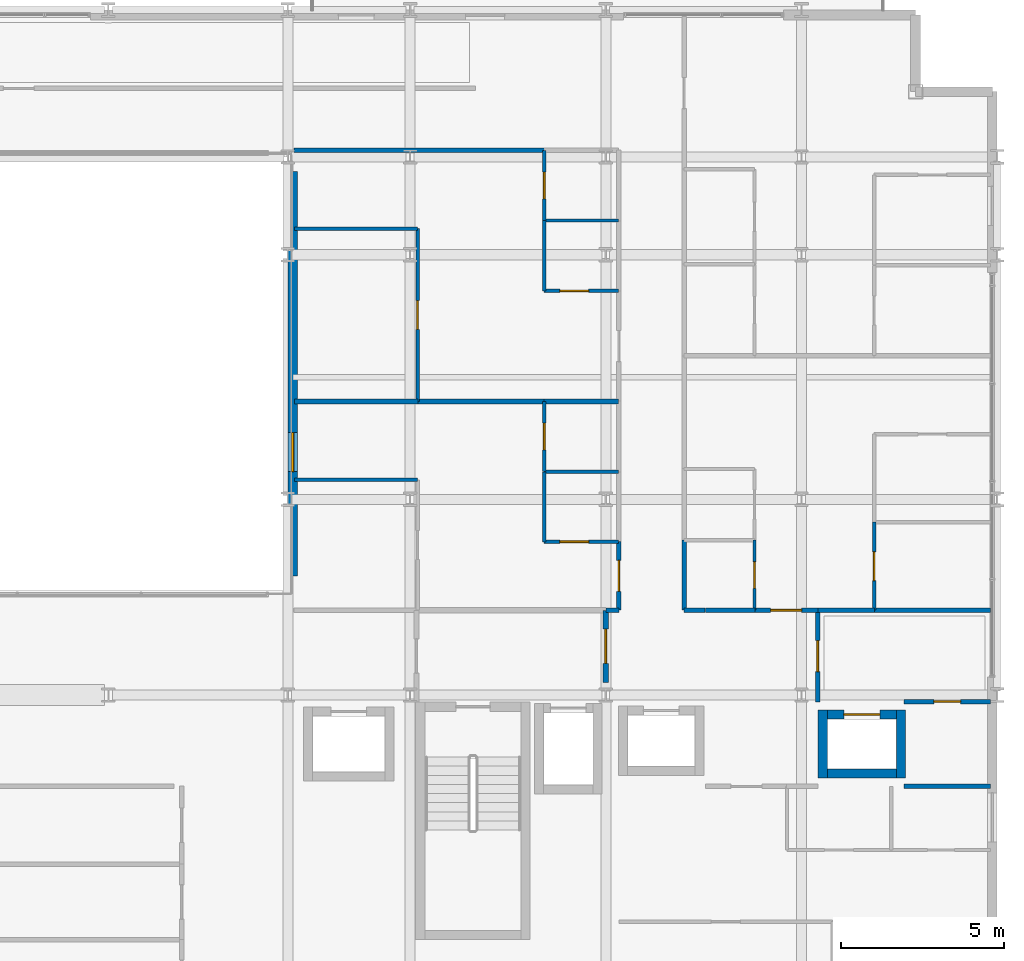
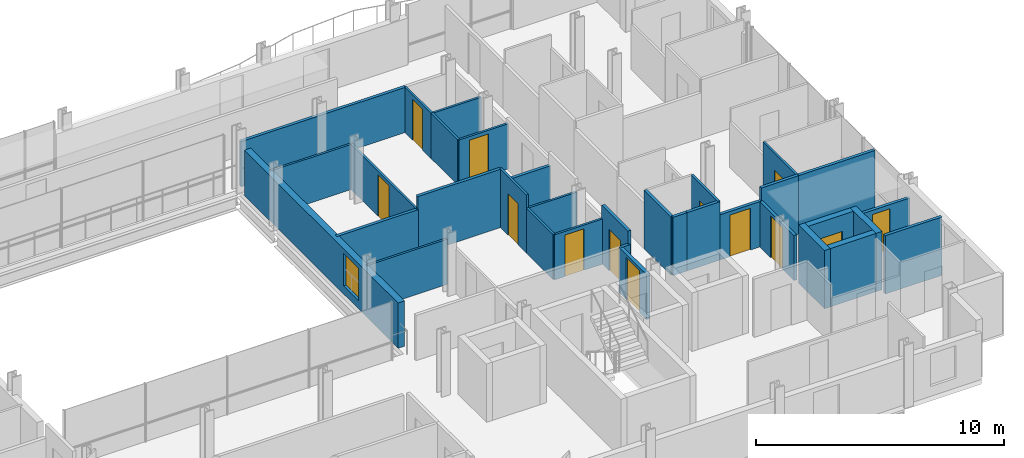
# One storey, part 35 of 41: 34 walls, 13 doors, 1 window, 14 openings.
"""IFC4 building model written with IfcOpenShell, lengths in metres."""

from ifc_helpers import new_model, si_unit, direction, frame, frame_2d, origin, place, context, subcontext, project, spatial, rectangle, extrude, material, layer, layer_set, type_object, element, fill, save


model = new_model("IFC4")

# Units and contexts
model_context = context("Model", 3, precision=1e-05, world=origin(), true_north=direction((0.0, 1.0)))
body_context = subcontext(model_context, "Body", "Model", "MODEL_VIEW")
ifc_project = project(units=[si_unit("LENGTHUNIT", "METRE"), si_unit("AREAUNIT", "SQUARE_METRE"), si_unit("VOLUMEUNIT", "CUBIC_METRE"), si_unit("PLANEANGLEUNIT", "RADIAN"), si_unit("MASSUNIT", "GRAM", prefix="KILO")], contexts=[model_context])

# Site, building, storey
site_placement = place(None, origin())
site = spatial("IfcSite", under=ifc_project, at=site_placement, CompositionType="ELEMENT")
building_placement = place(site_placement, origin())
building = spatial("IfcBuilding", under=site, at=building_placement, Name="Brevholm Reach", CompositionType="ELEMENT")
storey_placement = place(building_placement, frame((0.0, 0.0, 86.89990234375)))
storey = spatial("IfcBuildingStorey", under=building, at=storey_placement, Name="L25", CompositionType="ELEMENT", Elevation=86.89990234375)

# Walls
ifc_material_1 = material(Name="Concrete C50/60", Category="concrete")
ifc_layer_1 = layer(ifc_material_1, 0.280029296875)
ifc_layer_set_1 = layer_set([ifc_layer_1], Name="Concrete C50/60")
wall_type_1 = type_object("IfcWallType", Name="WAL-COR-280", PredefinedType="SHEAR", material=ifc_layer_set_1)
for number, where, z_axis, x_axis, name in (
    (1, (54.64990234375, 7.4599609375, 0.0), (0.0, 0.0, 1.0), (0.0, 1.0, 0.0), "L25 Lift PL-L2 Shaft Wall W"),
    (2, (57.050048828125, 7.4599609375, 0.0), (0.0, 0.0, 1.0), (0.0, 1.0, 0.0), "L25 Lift PL-L2 Shaft Wall E"),
):
    element("IfcWall", number, at=place(storey_placement, frame(where, z_axis=z_axis, x_axis=x_axis)), inside=storey, type_object=wall_type_1, Name=name, PredefinedType="SHEAR", context=body_context, shape_type="SweptSolid", body=[
        extrude(rectangle(XDim=2.080078125, YDim=0.280029296875, at=frame_2d((1.0400390625, 0.0))), origin(), (0.0, 0.0, 1.0), 2.8701171875),
    ])
wall_1_placement = place(storey_placement, frame((54.7900390625, 7.60009765625, 0.0), z_axis=(0.0, 0.0, 1.0), x_axis=(1.0, 0.0, 0.0)))
element("IfcWall", 3, at=wall_1_placement, inside=storey, type_object=wall_type_1, Name="L25 Lift PL-L2 Shaft Wall S", PredefinedType="SHEAR", context=body_context, shape_type="SweptSolid", body=[
    extrude(rectangle(XDim=2.119873046875, YDim=0.280029296875, at=frame_2d((1.06005859375, 0.0))), origin(), (0.0, 0.0, 1.0), 2.8701171875),
])

# Wall, opening, door
wall_2_placement = place(storey_placement, frame((54.7900390625, 9.39990234375, 0.0), z_axis=(0.0, 0.0, 1.0), x_axis=(1.0, 0.0, 0.0)))
wall_2 = element("IfcWall", 4, at=wall_2_placement, inside=storey, type_object=wall_type_1, Name="L25 Lift PL-L2 Shaft Wall N", PredefinedType="SHEAR", context=body_context, shape_type="SweptSolid", body=[
    extrude(rectangle(XDim=2.119873046875, YDim=0.280029296875, at=frame_2d((1.06005859375, 0.0))), origin(), (0.0, 0.0, 1.0), 2.8701171875),
])
opening_1_placement = place(wall_2_placement, frame((0.510009765625, 0.0, 0.0)))
opening_1 = element("IfcOpeningElement", 5, at=opening_1_placement, cuts=wall_2, Name="Opening LD-PL-L2", PredefinedType="OPENING", context=body_context, shape_type="SweptSolid", body=[
    extrude(rectangle(XDim=1.10009765625, YDim=2.06005859375, at=frame_2d((0.550048828125, 1.030029296875))), frame((0.0, 0.14990234375, 0.0), z_axis=(0.0, -1.0, 0.0), x_axis=(1.0, 0.0, 0.0)), (0.0, 0.0, 1.0), 0.300048828125),
])
ifc_material_2 = material(Name="Brushed Stainless Steel Fire-Rated Sliding Lift Door", Category="steel")
door_type_1 = type_object("IfcDoorType", Name="DOR-LFT-1100", OperationType="NOTDEFINED", PredefinedType="DOOR", material=ifc_material_2)
door_1_placement = place(opening_1_placement, origin())
door_1 = element("IfcDoor", 6, at=door_1_placement, inside=storey, type_object=door_type_1, Name="L25 Lift PL-L2 Sliding Landing Door", OperationType="SLIDING_TO_RIGHT", OverallHeight=2.06005859375, OverallWidth=1.10009765625, PredefinedType="DOOR", context=body_context, shape_type="SweptSolid", body=[
    extrude(rectangle(XDim=1.10009765625, YDim=2.06005859375, at=frame_2d((0.550048828125, 1.030029296875))), frame((0.0, 0.02490234375, 0.0), z_axis=(0.0, -1.0, 0.0), x_axis=(1.0, 0.0, 0.0)), (0.0, 0.0, 1.0), 0.050048828125),
])
fill(opening_1, door_1)

# Wall, opening, window
ifc_material_3 = material(Name="Concrete C40/50", Category="concrete")
ifc_layer_2 = layer(ifc_material_3, 0.300048828125)
ifc_layer_set_2 = layer_set([ifc_layer_2], Name="Concrete C40/50")
wall_type_2 = type_object("IfcWallType", Name="WAL-EXT-300", PredefinedType="STANDARD", material=ifc_layer_set_2)
wall_3_placement = place(storey_placement, frame((38.39990234375, 13.64990234375, 0.0), z_axis=(0.0, 0.0, 1.0), x_axis=(0.0, 1.0, 0.0)))
wall_3 = element("IfcWall", 7, at=wall_3_placement, inside=storey, type_object=wall_type_2, Name="L25 Facade Wall WAL-L25-AT-E", PredefinedType="STANDARD", context=body_context, shape_type="SweptSolid", body=[
    extrude(rectangle(XDim=12.400146484375, YDim=0.300048828125, at=frame_2d((6.2001953125, 0.0))), origin(), (0.0, 0.0, 1.0), 2.224853515625),
])
opening_2_placement = place(wall_3_placement, frame((3.199951171875, 0.0, 0.405029296875)))
opening_2 = element("IfcOpeningElement", 8, at=opening_2_placement, cuts=wall_3, Name="Opening WN-08", PredefinedType="OPENING", context=body_context, shape_type="SweptSolid", body=[
    extrude(rectangle(XDim=1.199951171875, YDim=1.60009765625, at=frame_2d((0.60009765625, 0.800048828125))), frame((0.0, 0.159912109375, 0.0), z_axis=(0.0, -1.0, 0.0), x_axis=(1.0, 0.0, 0.0)), (0.0, 0.0, 1.0), 0.320068359375),
])
ifc_material_4 = material(Name="Dark Anodised Aluminium and Solar-Control IGU Glass", Category="aluminium")
window_type = type_object("IfcWindowType", Name="WIN-RES-1200", PartitioningType="SINGLE_PANEL", PredefinedType="WINDOW", material=ifc_material_4)
window_placement = place(opening_2_placement, origin())
window = element("IfcWindow", 9, at=window_placement, inside=storey, type_object=window_type, Name="L25 Window WIN-L25-AT-E1", OverallHeight=1.60009765625, OverallWidth=1.199951171875, PartitioningType="SINGLE_PANEL", PredefinedType="WINDOW", context=body_context, shape_type="SweptSolid", body=[
    extrude(rectangle(XDim=1.199951171875, YDim=1.60009765625, at=frame_2d((0.60009765625, 0.800048828125))), frame((0.0, 0.030029296875, 0.0), z_axis=(0.0, -1.0, 0.0), x_axis=(1.0, 0.0, 0.0)), (0.0, 0.0, 1.0), 0.06005859375),
])
fill(opening_2, window)

# Wall
ifc_material_5 = material(Name="Moisture-Resistant Acoustic Gypsum Stud Partition 100 mm", Category="gypsum")
ifc_layer_3 = layer(ifc_material_5, 0.10009765625)
ifc_layer_set_3 = layer_set([ifc_layer_3], Name="Moisture-Resistant Acoustic Gypsum Stud Partition 100 mm")
wall_type_3 = type_object("IfcWallType", Name="WAL-PRT-100", PredefinedType="PARTITIONING", material=ifc_layer_set_3)
wall_4_placement = place(storey_placement, frame((46.112060546875, 16.85009765625, 0.0), z_axis=(0.0, 0.0, 1.0), x_axis=(1.0, 0.0, 0.0)))
element("IfcWall", 10, at=wall_4_placement, inside=storey, type_object=wall_type_3, Name="L25 Internal Partition 125", PredefinedType="PARTITIONING", context=body_context, shape_type="SweptSolid", body=[
    extrude(rectangle(XDim=2.283935546875, YDim=0.10009765625, at=frame_2d((1.14208984375, 0.0))), origin(), (0.0, 0.0, 1.0), 2.224853515625),
])

# Wall, opening, door
wall_5_placement = place(storey_placement, frame((46.112060546875, 16.85009765625, 0.0), z_axis=(0.0, 0.0, 1.0), x_axis=(0.0, 1.0, 0.0)))
wall_5 = element("IfcWall", 11, at=wall_5_placement, inside=storey, type_object=wall_type_3, Name="L25 Internal Partition 126", PredefinedType="PARTITIONING", context=body_context, shape_type="SweptSolid", body=[
    extrude(rectangle(XDim=2.14990234375, YDim=0.10009765625, at=frame_2d((1.074951171875, 0.0))), origin(), (0.0, 0.0, 1.0), 2.8701171875),
])
opening_3_placement = place(wall_5_placement, frame((0.6650390625, 0.0, 0.0)))
opening_3 = element("IfcOpeningElement", 12, at=opening_3_placement, cuts=wall_5, Name="Opening ID-03", PredefinedType="OPENING", context=body_context, shape_type="SweptSolid", body=[
    extrude(rectangle(XDim=0.820068359375, YDim=2.02001953125, at=frame_2d((0.41015625, 1.010009765625))), frame((0.0, 0.06005859375, 0.0), z_axis=(0.0, -1.0, 0.0), x_axis=(1.0, 0.0, 0.0)), (0.0, 0.0, 1.0), 0.1201171875),
])
ifc_material_6 = material(Name="Moisture-Resistant Painted Timber Internal Bathroom Door", Category="wood")
door_type_2 = type_object("IfcDoorType", Name="DOR-BATH-820", OperationType="NOTDEFINED", PredefinedType="DOOR", material=ifc_material_6)
door_2_placement = place(opening_3_placement, origin())
door_2 = element("IfcDoor", 13, at=door_2_placement, inside=storey, type_object=door_type_2, Name="L25 Internal Door 047", OperationType="SINGLE_SWING_RIGHT", OverallHeight=2.02001953125, OverallWidth=0.820068359375, PredefinedType="DOOR", context=body_context, shape_type="SweptSolid", body=[
    extrude(rectangle(XDim=0.820068359375, YDim=2.02001953125, at=frame_2d((0.41015625, 1.010009765625))), frame((0.0, 0.02490234375, 0.0), z_axis=(0.0, -1.0, 0.0), x_axis=(1.0, 0.0, 0.0)), (0.0, 0.0, 1.0), 0.050048828125),
])
fill(opening_3, door_2)

wall_6_placement = place(storey_placement, frame((46.112060546875, 14.699951171875, 0.0), z_axis=(0.0, 0.0, 1.0), x_axis=(1.0, 0.0, 0.0)))
wall_6 = element("IfcWall", 14, at=wall_6_placement, inside=storey, type_object=wall_type_3, Name="L25 Internal Partition 128", PredefinedType="PARTITIONING", context=body_context, shape_type="SweptSolid", body=[
    extrude(rectangle(XDim=2.283935546875, YDim=0.10009765625, at=frame_2d((1.14208984375, 0.0))), origin(), (0.0, 0.0, 1.0), 2.224853515625),
])
opening_4_placement = place(wall_6_placement, frame((0.48193359375, 0.0, 0.0)))
opening_4 = element("IfcOpeningElement", 15, at=opening_4_placement, cuts=wall_6, Name="Opening ID-01", PredefinedType="OPENING", context=body_context, shape_type="SweptSolid", body=[
    extrude(rectangle(XDim=0.8798828125, YDim=2.0400390625, at=frame_2d((0.43994140625, 1.02001953125))), frame((0.0, 0.06005859375, 0.0), z_axis=(0.0, -1.0, 0.0), x_axis=(1.0, 0.0, 0.0)), (0.0, 0.0, 1.0), 0.1201171875),
])
ifc_material_7 = material(Name="Lacquered Ash Solid-Core Acoustic Internal Door", Category="timber")
door_type_3 = type_object("IfcDoorType", Name="DOR-INT-880", OperationType="NOTDEFINED", PredefinedType="DOOR", material=ifc_material_7)
door_3_placement = place(opening_4_placement, origin())
door_3 = element("IfcDoor", 16, at=door_3_placement, inside=storey, type_object=door_type_3, Name="L25 Internal Door 048", OperationType="SINGLE_SWING_LEFT", OverallHeight=2.0400390625, OverallWidth=0.8798828125, PredefinedType="DOOR", context=body_context, shape_type="SweptSolid", body=[
    extrude(rectangle(XDim=0.8798828125, YDim=2.0400390625, at=frame_2d((0.43994140625, 1.02001953125))), frame((0.0, 0.02490234375, 0.0), z_axis=(0.0, -1.0, 0.0), x_axis=(1.0, 0.0, 0.0)), (0.0, 0.0, 1.0), 0.050048828125),
])
fill(opening_4, door_3)

# Walls
wall_7_placement = place(storey_placement, frame((46.112060546875, 14.699951171875, 0.0), z_axis=(0.0, 0.0, 1.0), x_axis=(0.0, 1.0, 0.0)))
element("IfcWall", 17, at=wall_7_placement, inside=storey, type_object=wall_type_3, Name="L25 Internal Partition 129", PredefinedType="PARTITIONING", context=body_context, shape_type="SweptSolid", body=[
    extrude(rectangle(XDim=2.14599609375, YDim=0.10009765625, at=frame_2d((1.072998046875, 0.0))), origin(), (0.0, 0.0, 1.0), 2.224853515625),
])
wall_8_placement = place(storey_placement, frame((38.449951171875, 16.60009765625, 0.0), z_axis=(0.0, 0.0, 1.0), x_axis=(1.0, 0.0, 0.0)))
element("IfcWall", 18, at=wall_8_placement, inside=storey, type_object=wall_type_3, Name="L25 Internal Partition 131", PredefinedType="PARTITIONING", context=body_context, shape_type="SweptSolid", body=[
    extrude(rectangle(XDim=3.781005859375, YDim=0.10009765625, at=frame_2d((1.890625, 0.0))), origin(), (0.0, 0.0, 1.0), 2.224853515625),
])
wall_9_placement = place(storey_placement, frame((46.112060546875, 24.550048828125, 0.0), z_axis=(0.0, 0.0, 1.0), x_axis=(1.0, 0.0, 0.0)))
element("IfcWall", 19, at=wall_9_placement, inside=storey, type_object=wall_type_3, Name="L25 Internal Partition 134", PredefinedType="PARTITIONING", context=body_context, shape_type="SweptSolid", body=[
    extrude(rectangle(XDim=2.283935546875, YDim=0.10009765625, at=frame_2d((1.14208984375, 0.0))), origin(), (0.0, 0.0, 1.0), 2.224853515625),
])

# Wall, opening, door
wall_10_placement = place(storey_placement, frame((46.112060546875, 24.550048828125, 0.0), z_axis=(0.0, 0.0, 1.0), x_axis=(0.0, 1.0, 0.0)))
wall_10 = element("IfcWall", 20, at=wall_10_placement, inside=storey, type_object=wall_type_3, Name="L25 Internal Partition 135", PredefinedType="PARTITIONING", context=body_context, shape_type="SweptSolid", body=[
    extrude(rectangle(XDim=2.14599609375, YDim=0.10009765625, at=frame_2d((1.072998046875, 0.0))), origin(), (0.0, 0.0, 1.0), 2.224853515625),
])
opening_5_placement = place(wall_10_placement, frame((0.6630859375, 0.0, 0.0)))
opening_5 = element("IfcOpeningElement", 21, at=opening_5_placement, cuts=wall_10, Name="Opening ID-03", PredefinedType="OPENING", context=body_context, shape_type="SweptSolid", body=[
    extrude(rectangle(XDim=0.820068359375, YDim=2.02001953125, at=frame_2d((0.41015625, 1.010009765625))), frame((0.0, 0.06005859375, 0.0), z_axis=(0.0, -1.0, 0.0), x_axis=(1.0, 0.0, 0.0)), (0.0, 0.0, 1.0), 0.1201171875),
])
door_4_placement = place(opening_5_placement, origin())
door_4 = element("IfcDoor", 22, at=door_4_placement, inside=storey, type_object=door_type_2, Name="L25 Internal Door 050", OperationType="SINGLE_SWING_LEFT", OverallHeight=2.02001953125, OverallWidth=0.820068359375, PredefinedType="DOOR", context=body_context, shape_type="SweptSolid", body=[
    extrude(rectangle(XDim=0.820068359375, YDim=2.02001953125, at=frame_2d((0.41015625, 1.010009765625))), frame((0.0, 0.02490234375, 0.0), z_axis=(0.0, -1.0, 0.0), x_axis=(1.0, 0.0, 0.0)), (0.0, 0.0, 1.0), 0.050048828125),
])
fill(opening_5, door_4)

wall_11_placement = place(storey_placement, frame((46.112060546875, 22.39404296875, 0.0), z_axis=(0.0, 0.0, 1.0), x_axis=(1.0, 0.0, 0.0)))
wall_11 = element("IfcWall", 23, at=wall_11_placement, inside=storey, type_object=wall_type_3, Name="L25 Internal Partition 136", PredefinedType="PARTITIONING", context=body_context, shape_type="SweptSolid", body=[
    extrude(rectangle(XDim=2.283935546875, YDim=0.10009765625, at=frame_2d((1.14208984375, 0.0))), origin(), (0.0, 0.0, 1.0), 2.224853515625),
])
opening_6_placement = place(wall_11_placement, frame((0.48193359375, 0.0, 0.0)))
opening_6 = element("IfcOpeningElement", 24, at=opening_6_placement, cuts=wall_11, Name="Opening ID-01", PredefinedType="OPENING", context=body_context, shape_type="SweptSolid", body=[
    extrude(rectangle(XDim=0.8798828125, YDim=2.0400390625, at=frame_2d((0.43994140625, 1.02001953125))), frame((0.0, 0.06005859375, 0.0), z_axis=(0.0, -1.0, 0.0), x_axis=(1.0, 0.0, 0.0)), (0.0, 0.0, 1.0), 0.1201171875),
])
door_5_placement = place(opening_6_placement, origin())
door_5 = element("IfcDoor", 25, at=door_5_placement, inside=storey, type_object=door_type_3, Name="L25 Internal Door 051", OperationType="SINGLE_SWING_RIGHT", OverallHeight=2.0400390625, OverallWidth=0.8798828125, PredefinedType="DOOR", context=body_context, shape_type="SweptSolid", body=[
    extrude(rectangle(XDim=0.8798828125, YDim=2.0400390625, at=frame_2d((0.43994140625, 1.02001953125))), frame((0.0, 0.02490234375, 0.0), z_axis=(0.0, -1.0, 0.0), x_axis=(1.0, 0.0, 0.0)), (0.0, 0.0, 1.0), 0.050048828125),
])
fill(opening_6, door_5)

# Wall
wall_12_placement = place(storey_placement, frame((46.112060546875, 22.39404296875, 0.0), z_axis=(0.0, 0.0, 1.0), x_axis=(0.0, 1.0, 0.0)))
element("IfcWall", 26, at=wall_12_placement, inside=storey, type_object=wall_type_3, Name="L25 Internal Partition 137", PredefinedType="PARTITIONING", context=body_context, shape_type="SweptSolid", body=[
    extrude(rectangle(XDim=2.15185546875, YDim=0.10009765625, at=frame_2d((1.075927734375, 0.0))), origin(), (0.0, 0.0, 1.0), 2.224853515625),
])

# Wall, opening, door
wall_13_placement = place(storey_placement, frame((42.23095703125, 19.00390625, 0.0), z_axis=(0.0, 0.0, 1.0), x_axis=(0.0, 1.0, 0.0)))
wall_13 = element("IfcWall", 27, at=wall_13_placement, inside=storey, type_object=wall_type_3, Name="L25 Internal Partition 138", PredefinedType="PARTITIONING", context=body_context, shape_type="SweptSolid", body=[
    extrude(rectangle(XDim=5.296142578125, YDim=0.10009765625, at=frame_2d((2.64794921875, 0.0))), origin(), (0.0, 0.0, 1.0), 2.224853515625),
])
opening_7_placement = place(wall_13_placement, frame((2.2080078125, 0.0, 0.0)))
opening_7 = element("IfcOpeningElement", 28, at=opening_7_placement, cuts=wall_13, Name="Opening ID-01", PredefinedType="OPENING", context=body_context, shape_type="SweptSolid", body=[
    extrude(rectangle(XDim=0.8798828125, YDim=2.0400390625, at=frame_2d((0.43994140625, 1.02001953125))), frame((0.0, 0.06005859375, 0.0), z_axis=(0.0, -1.0, 0.0), x_axis=(1.0, 0.0, 0.0)), (0.0, 0.0, 1.0), 0.1201171875),
])
door_6_placement = place(opening_7_placement, origin())
door_6 = element("IfcDoor", 29, at=door_6_placement, inside=storey, type_object=door_type_3, Name="L25 Internal Door 052", OperationType="SINGLE_SWING_LEFT", OverallHeight=2.0400390625, OverallWidth=0.8798828125, PredefinedType="DOOR", context=body_context, shape_type="SweptSolid", body=[
    extrude(rectangle(XDim=0.8798828125, YDim=2.0400390625, at=frame_2d((0.43994140625, 1.02001953125))), frame((0.0, 0.02490234375, 0.0), z_axis=(0.0, -1.0, 0.0), x_axis=(1.0, 0.0, 0.0)), (0.0, 0.0, 1.0), 0.050048828125),
])
fill(opening_7, door_6)

# Wall
wall_14_placement = place(storey_placement, frame((38.449951171875, 24.300048828125, 0.0), z_axis=(0.0, 0.0, 1.0), x_axis=(1.0, 0.0, 0.0)))
element("IfcWall", 30, at=wall_14_placement, inside=storey, type_object=wall_type_3, Name="L25 Internal Partition 139", PredefinedType="PARTITIONING", context=body_context, shape_type="SweptSolid", body=[
    extrude(rectangle(XDim=3.781005859375, YDim=0.10009765625, at=frame_2d((1.890625, 0.0))), origin(), (0.0, 0.0, 1.0), 2.224853515625),
])

# Wall, opening, door
wall_15_placement = place(storey_placement, frame((52.56201171875, 12.60400390625, 0.0), z_axis=(0.0, 0.0, 1.0), x_axis=(0.0, 1.0, 0.0)))
wall_15 = element("IfcWall", 31, at=wall_15_placement, inside=storey, type_object=wall_type_3, Name="L25 Internal Partition 141", PredefinedType="PARTITIONING", context=body_context, shape_type="SweptSolid", body=[
    extrude(rectangle(XDim=2.14599609375, YDim=0.10009765625, at=frame_2d((1.072998046875, 0.0))), origin(), (0.0, 0.0, 1.0), 2.8701171875),
])
opening_8_placement = place(wall_15_placement, frame((0.6630859375, 0.0, 0.0)))
opening_8 = element("IfcOpeningElement", 32, at=opening_8_placement, cuts=wall_15, Name="Opening ID-03", PredefinedType="OPENING", context=body_context, shape_type="SweptSolid", body=[
    extrude(rectangle(XDim=0.820068359375, YDim=2.02001953125, at=frame_2d((0.41015625, 1.010009765625))), frame((0.0, 0.06005859375, 0.0), z_axis=(0.0, -1.0, 0.0), x_axis=(1.0, 0.0, 0.0)), (0.0, 0.0, 1.0), 0.1201171875),
])
door_7_placement = place(opening_8_placement, origin())
door_7 = element("IfcDoor", 33, at=door_7_placement, inside=storey, type_object=door_type_2, Name="L25 Internal Door 053", OperationType="SINGLE_SWING_RIGHT", OverallHeight=2.02001953125, OverallWidth=0.820068359375, PredefinedType="DOOR", context=body_context, shape_type="SweptSolid", body=[
    extrude(rectangle(XDim=0.820068359375, YDim=2.02001953125, at=frame_2d((0.41015625, 1.010009765625))), frame((0.0, 0.02490234375, 0.0), z_axis=(0.0, -1.0, 0.0), x_axis=(1.0, 0.0, 0.0)), (0.0, 0.0, 1.0), 0.050048828125),
])
fill(opening_8, door_7)

wall_16_placement = place(storey_placement, frame((56.22802734375, 12.60400390625, 0.0), z_axis=(0.0, 0.0, 1.0), x_axis=(0.0, 1.0, 0.0)))
wall_16 = element("IfcWall", 34, at=wall_16_placement, inside=storey, type_object=wall_type_3, Name="L25 Internal Partition 145", PredefinedType="PARTITIONING", context=body_context, shape_type="SweptSolid", body=[
    extrude(rectangle(XDim=2.696044921875, YDim=0.10009765625, at=frame_2d((1.34814453125, 0.0))), origin(), (0.0, 0.0, 1.0), 2.8701171875),
])
opening_9_placement = place(wall_16_placement, frame((0.907958984375, 0.0, 0.0)))
opening_9 = element("IfcOpeningElement", 35, at=opening_9_placement, cuts=wall_16, Name="Opening ID-01", PredefinedType="OPENING", context=body_context, shape_type="SweptSolid", body=[
    extrude(rectangle(XDim=0.8798828125, YDim=2.0400390625, at=frame_2d((0.43994140625, 1.02001953125))), frame((0.0, 0.06005859375, 0.0), z_axis=(0.0, -1.0, 0.0), x_axis=(1.0, 0.0, 0.0)), (0.0, 0.0, 1.0), 0.1201171875),
])
door_8_placement = place(opening_9_placement, origin())
door_8 = element("IfcDoor", 36, at=door_8_placement, inside=storey, type_object=door_type_3, Name="L25 Internal Door 055", OperationType="SINGLE_SWING_RIGHT", OverallHeight=2.0400390625, OverallWidth=0.8798828125, PredefinedType="DOOR", context=body_context, shape_type="SweptSolid", body=[
    extrude(rectangle(XDim=0.8798828125, YDim=2.0400390625, at=frame_2d((0.43994140625, 1.02001953125))), frame((0.0, 0.02490234375, 0.0), z_axis=(0.0, -1.0, 0.0), x_axis=(1.0, 0.0, 0.0)), (0.0, 0.0, 1.0), 0.050048828125),
])
fill(opening_9, door_8)

ifc_material_8 = material(Name="Twin-Stud Acoustic Fire-Rated Gypsum Partition 140 mm", Category="gypsum")
ifc_layer_4 = layer(ifc_material_8, 0.139892578125)
ifc_layer_set_4 = layer_set([ifc_layer_4], Name="Twin-Stud Acoustic Fire-Rated Gypsum Partition 140 mm")
wall_type_4 = type_object("IfcWallType", Name="WAL-PRT-140", PredefinedType="PARTITIONING", material=ifc_layer_set_4)
wall_17_placement = place(storey_placement, frame((54.5, 9.788818359375, 0.0), z_axis=(0.0, 0.0, 1.0), x_axis=(0.0, 1.0, 0.0)))
wall_17 = element("IfcWall", 37, at=wall_17_placement, inside=storey, type_object=wall_type_4, Name="L25 Internal Partition 008", PredefinedType="PARTITIONING", context=body_context, shape_type="SweptSolid", body=[
    extrude(rectangle(XDim=2.811279296875, YDim=0.139892578125, at=frame_2d((1.40576171875, 0.0))), origin(), (0.0, 0.0, 1.0), 2.224853515625),
])
opening_10_placement = place(wall_17_placement, frame((0.9306640625, 0.0, 0.0)))
opening_10 = element("IfcOpeningElement", 38, at=opening_10_placement, cuts=wall_17, Name="Opening ID-30", PredefinedType="OPENING", context=body_context, shape_type="SweptSolid", body=[
    extrude(rectangle(XDim=0.949951171875, YDim=2.050048828125, at=frame_2d((0.47509765625, 1.02490234375))), frame((0.0, 0.079833984375, 0.0), z_axis=(0.0, -1.0, 0.0), x_axis=(1.0, 0.0, 0.0)), (0.0, 0.0, 1.0), 0.159912109375),
])
ifc_material_9 = material(Name="European Oak Veneered Solid-Core Fire Entrance Door", Category="timber")
door_type_4 = type_object("IfcDoorType", Name="DOR-FLT-FD30S", OperationType="NOTDEFINED", PredefinedType="DOOR", material=ifc_material_9)
door_9_placement = place(opening_10_placement, origin())
door_9 = element("IfcDoor", 39, at=door_9_placement, inside=storey, type_object=door_type_4, Name="L25 Internal Door 006", OperationType="SINGLE_SWING_LEFT", OverallHeight=2.050048828125, OverallWidth=0.949951171875, PredefinedType="DOOR", context=body_context, shape_type="SweptSolid", body=[
    extrude(rectangle(XDim=0.949951171875, YDim=2.050048828125, at=frame_2d((0.47509765625, 1.02490234375))), frame((0.0, 0.02490234375, 0.0), z_axis=(0.0, -1.0, 0.0), x_axis=(1.0, 0.0, 0.0)), (0.0, 0.0, 1.0), 0.050048828125),
])
fill(opening_10, door_9)

# Wall
wall_18_placement = place(storey_placement, frame((51.050048828125, 12.60009765625, 0.0), z_axis=(0.0, 0.0, 1.0), x_axis=(1.0, 0.0, 0.0)))
element("IfcWall", 40, at=wall_18_placement, inside=storey, type_object=wall_type_4, Name="L25 Internal Partition 011", PredefinedType="PARTITIONING", context=body_context, shape_type="SweptSolid", body=[
    extrude(rectangle(XDim=1.523193359375, YDim=0.139892578125, at=frame_2d((0.76171875, 0.0))), origin(), (0.0, 0.0, 1.0), 2.8701171875),
])

# Wall, opening, door
wall_19_placement = place(storey_placement, frame((52.5546875, 12.60009765625, 0.0), z_axis=(0.0, 0.0, 1.0), x_axis=(1.0, 0.0, 0.0)))
wall_19 = element("IfcWall", 41, at=wall_19_placement, inside=storey, type_object=wall_type_4, Name="L25 Internal Partition 012", PredefinedType="PARTITIONING", context=body_context, shape_type="SweptSolid", body=[
    extrude(rectangle(XDim=1.9453125, YDim=0.139892578125, at=frame_2d((0.97265625, 0.0))), origin(), (0.0, 0.0, 1.0), 2.224853515625),
])
opening_11_placement = place(wall_19_placement, frame((0.497802734375, 0.0, 0.0)))
opening_11 = element("IfcOpeningElement", 42, at=opening_11_placement, cuts=wall_19, Name="Opening ID-30", PredefinedType="OPENING", context=body_context, shape_type="SweptSolid", body=[
    extrude(rectangle(XDim=0.949951171875, YDim=2.050048828125, at=frame_2d((0.47509765625, 1.02490234375))), frame((0.0, 0.079833984375, 0.0), z_axis=(0.0, -1.0, 0.0), x_axis=(1.0, 0.0, 0.0)), (0.0, 0.0, 1.0), 0.159912109375),
])
door_10_placement = place(opening_11_placement, origin())
door_10 = element("IfcDoor", 43, at=door_10_placement, inside=storey, type_object=door_type_4, Name="L25 Internal Door 008", OperationType="SINGLE_SWING_LEFT", OverallHeight=2.050048828125, OverallWidth=0.949951171875, PredefinedType="DOOR", context=body_context, shape_type="SweptSolid", body=[
    extrude(rectangle(XDim=0.949951171875, YDim=2.050048828125, at=frame_2d((0.47509765625, 1.02490234375))), frame((0.0, 0.02490234375, 0.0), z_axis=(0.0, -1.0, 0.0), x_axis=(1.0, 0.0, 0.0)), (0.0, 0.0, 1.0), 0.050048828125),
])
fill(opening_11, door_10)

# Walls
wall_20_placement = place(storey_placement, frame((48.00390625, 12.60009765625, 0.0), z_axis=(0.0, 0.0, 1.0), x_axis=(1.0, 0.0, 0.0)))
element("IfcWall", 44, at=wall_20_placement, inside=storey, type_object=wall_type_4, Name="L25 Internal Partition 028", PredefinedType="PARTITIONING", context=body_context, shape_type="SweptSolid", body=[
    extrude(rectangle(XDim=0.4033203125, YDim=0.139892578125, at=frame_2d((0.20166015625, 0.0))), origin(), (0.0, 0.0, 1.0), 2.224853515625),
])
wall_21_placement = place(storey_placement, frame((50.392578125, 12.60009765625, 0.0), z_axis=(0.0, 0.0, 1.0), x_axis=(1.0, 0.0, 0.0)))
element("IfcWall", 45, at=wall_21_placement, inside=storey, type_object=wall_type_4, Name="L25 Internal Partition 029", PredefinedType="PARTITIONING", context=body_context, shape_type="SweptSolid", body=[
    extrude(rectangle(XDim=0.6533203125, YDim=0.139892578125, at=frame_2d((0.32666015625, 0.0))), origin(), (0.0, 0.0, 1.0), 2.8701171875),
])

# Wall, opening, door
wall_22_placement = place(storey_placement, frame((48.39990234375, 12.60400390625, 0.0), z_axis=(0.0, 0.0, 1.0), x_axis=(0.0, 1.0, 0.0)))
wall_22 = element("IfcWall", 46, at=wall_22_placement, inside=storey, type_object=wall_type_4, Name="L25 Internal Partition 047", PredefinedType="PARTITIONING", context=body_context, shape_type="SweptSolid", body=[
    extrude(rectangle(XDim=2.103271484375, YDim=0.139892578125, at=frame_2d((1.0517578125, 0.0))), origin(), (0.0, 0.0, 1.0), 2.8701171875),
])
opening_12_placement = place(wall_22_placement, frame((0.57666015625, 0.0, 0.0)))
opening_12 = element("IfcOpeningElement", 47, at=opening_12_placement, cuts=wall_22, Name="Opening ID-30", PredefinedType="OPENING", context=body_context, shape_type="SweptSolid", body=[
    extrude(rectangle(XDim=0.949951171875, YDim=2.050048828125, at=frame_2d((0.47509765625, 1.02490234375))), frame((0.0, 0.079833984375, 0.0), z_axis=(0.0, -1.0, 0.0), x_axis=(1.0, 0.0, 0.0)), (0.0, 0.0, 1.0), 0.159912109375),
])
door_11_placement = place(opening_12_placement, origin())
door_11 = element("IfcDoor", 48, at=door_11_placement, inside=storey, type_object=door_type_4, Name="L25 Internal Door 020", OperationType="SINGLE_SWING_LEFT", OverallHeight=2.050048828125, OverallWidth=0.949951171875, PredefinedType="DOOR", context=body_context, shape_type="SweptSolid", body=[
    extrude(rectangle(XDim=0.949951171875, YDim=2.050048828125, at=frame_2d((0.47509765625, 1.02490234375))), frame((0.0, 0.02490234375, 0.0), z_axis=(0.0, -1.0, 0.0), x_axis=(1.0, 0.0, 0.0)), (0.0, 0.0, 1.0), 0.050048828125),
])
fill(opening_12, door_11)

# Walls
wall_23_placement = place(storey_placement, frame((50.39990234375, 12.60400390625, 0.0), z_axis=(0.0, 0.0, 1.0), x_axis=(0.0, 1.0, 0.0)))
element("IfcWall", 49, at=wall_23_placement, inside=storey, type_object=wall_type_4, Name="L25 Internal Partition 051", PredefinedType="PARTITIONING", context=body_context, shape_type="SweptSolid", body=[
    extrude(rectangle(XDim=2.1572265625, YDim=0.139892578125, at=frame_2d((1.07861328125, 0.0))), origin(), (0.0, 0.0, 1.0), 2.8701171875),
])
wall_24_placement = place(storey_placement, frame((38.438720703125, 26.699951171875, 0.0), z_axis=(0.0, 0.0, 1.0), x_axis=(1.0, 0.0, 0.0)))
element("IfcWall", 50, at=wall_24_placement, inside=storey, type_object=wall_type_4, Name="L25 Internal Partition 060", PredefinedType="PARTITIONING", context=body_context, shape_type="SweptSolid", body=[
    extrude(rectangle(XDim=7.6806640625, YDim=0.139892578125, at=frame_2d((3.84033203125, 0.0))), origin(), (0.0, 0.0, 1.0), 2.224853515625),
])

# Wall, opening, door
wall_25_placement = place(storey_placement, frame((57.138671875, 9.800048828125, 0.0), z_axis=(0.0, 0.0, 1.0), x_axis=(1.0, 0.0, 0.0)))
wall_25 = element("IfcWall", 51, at=wall_25_placement, inside=storey, type_object=wall_type_4, Name="L25 Internal Partition 075", PredefinedType="PARTITIONING", context=body_context, shape_type="SweptSolid", body=[
    extrude(rectangle(XDim=2.661376953125, YDim=0.139892578125, at=frame_2d((1.33056640625, 0.0))), origin(), (0.0, 0.0, 1.0), 2.224853515625),
])
opening_13_placement = place(wall_25_placement, frame((0.920654296875, 0.0, 0.0)))
opening_13 = element("IfcOpeningElement", 52, at=opening_13_placement, cuts=wall_25, Name="Opening ID-02", PredefinedType="OPENING", context=body_context, shape_type="SweptSolid", body=[
    extrude(rectangle(XDim=0.820068359375, YDim=2.02001953125, at=frame_2d((0.41015625, 1.010009765625))), frame((0.0, 0.079833984375, 0.0), z_axis=(0.0, -1.0, 0.0), x_axis=(1.0, 0.0, 0.0)), (0.0, 0.0, 1.0), 0.159912109375),
])
ifc_material_10 = material(Name="Moisture-Resistant Painted Timber Fire-Rated Riser and Service Door", Category="wood")
door_type_5 = type_object("IfcDoorType", Name="DOR-SRV-820", OperationType="NOTDEFINED", PredefinedType="DOOR", material=ifc_material_10)
door_12_placement = place(opening_13_placement, origin())
door_12 = element("IfcDoor", 53, at=door_12_placement, inside=storey, type_object=door_type_5, Name="L25 Access Door 061", OperationType="SINGLE_SWING_RIGHT", OverallHeight=2.02001953125, OverallWidth=0.820068359375, PredefinedType="DOOR", context=body_context, shape_type="SweptSolid", body=[
    extrude(rectangle(XDim=0.820068359375, YDim=2.02001953125, at=frame_2d((0.41015625, 1.010009765625))), frame((0.0, 0.02490234375, 0.0), z_axis=(0.0, -1.0, 0.0), x_axis=(1.0, 0.0, 0.0)), (0.0, 0.0, 1.0), 0.050048828125),
])
fill(opening_13, door_12)

# Walls
wall_26_placement = place(storey_placement, frame((56.216796875, 12.60009765625, 0.0), z_axis=(0.0, 0.0, 1.0), x_axis=(1.0, 0.0, 0.0)))
element("IfcWall", 54, at=wall_26_placement, inside=storey, type_object=wall_type_4, Name="L25 Internal Partition 076", PredefinedType="PARTITIONING", context=body_context, shape_type="SweptSolid", body=[
    extrude(rectangle(XDim=3.583251953125, YDim=0.139892578125, at=frame_2d((1.79150390625, 0.0))), origin(), (0.0, 0.0, 1.0), 2.8701171875),
])
wall_27_placement = place(storey_placement, frame((54.50390625, 12.60009765625, 0.0), z_axis=(0.0, 0.0, 1.0), x_axis=(1.0, 0.0, 0.0)))
element("IfcWall", 55, at=wall_27_placement, inside=storey, type_object=wall_type_4, Name="L25 Internal Partition 077", PredefinedType="PARTITIONING", context=body_context, shape_type="SweptSolid", body=[
    extrude(rectangle(XDim=1.7314453125, YDim=0.139892578125, at=frame_2d((0.86572265625, 0.0))), origin(), (0.0, 0.0, 1.0), 2.8701171875),
])
wall_28_placement = place(storey_placement, frame((57.14990234375, 7.199951171875, 0.0), z_axis=(0.0, 0.0, 1.0), x_axis=(1.0, 0.0, 0.0)))
element("IfcWall", 56, at=wall_28_placement, inside=storey, type_object=wall_type_4, Name="L25 Internal Partition 078", PredefinedType="PARTITIONING", context=body_context, shape_type="SweptSolid", body=[
    extrude(rectangle(XDim=2.650146484375, YDim=0.139892578125, at=frame_2d((1.3251953125, 0.0))), origin(), (0.0, 0.0, 1.0), 2.8701171875),
])
wall_29_placement = place(storey_placement, frame((46.112060546875, 19.0, 0.0), z_axis=(0.0, 0.0, 1.0), x_axis=(1.0, 0.0, 0.0)))
element("IfcWall", 57, at=wall_29_placement, inside=storey, type_object=wall_type_4, Name="L25 Internal Partition 127", PredefinedType="PARTITIONING", context=body_context, shape_type="SweptSolid", body=[
    extrude(rectangle(XDim=2.283935546875, YDim=0.139892578125, at=frame_2d((1.14208984375, 0.0))), origin(), (0.0, 0.0, 1.0), 2.224853515625),
])
wall_30_placement = place(storey_placement, frame((38.449951171875, 19.0, 0.0), z_axis=(0.0, 0.0, 1.0), x_axis=(1.0, 0.0, 0.0)))
element("IfcWall", 58, at=wall_30_placement, inside=storey, type_object=wall_type_4, Name="L25 Internal Partition 132", PredefinedType="PARTITIONING", context=body_context, shape_type="SweptSolid", body=[
    extrude(rectangle(XDim=3.792236328125, YDim=0.139892578125, at=frame_2d((1.89599609375, 0.0))), origin(), (0.0, 0.0, 1.0), 2.224853515625),
])
wall_31_placement = place(storey_placement, frame((42.2236328125, 19.0, 0.0), z_axis=(0.0, 0.0, 1.0), x_axis=(1.0, 0.0, 0.0)))
element("IfcWall", 59, at=wall_31_placement, inside=storey, type_object=wall_type_4, Name="L25 Internal Partition 133", PredefinedType="PARTITIONING", context=body_context, shape_type="SweptSolid", body=[
    extrude(rectangle(XDim=3.88427734375, YDim=0.139892578125, at=frame_2d((1.942138671875, 0.0))), origin(), (0.0, 0.0, 1.0), 2.8701171875),
])

# Wall, opening, door
ifc_material_11 = material(Name="Twin-Frame Fire-Rated Gypsum Board and Mineral Wool 160 mm", Category="gypsum")
ifc_layer_5 = layer(ifc_material_11, 0.159912109375)
ifc_layer_set_5 = layer_set([ifc_layer_5], Name="Twin-Frame Fire-Rated Gypsum Board and Mineral Wool 160 mm")
wall_type_5 = type_object("IfcWallType", Name="WAL-PRT-160", PredefinedType="PARTITIONING", material=ifc_layer_set_5)
wall_32_placement = place(storey_placement, frame((48.0, 10.388671875, 0.0), z_axis=(0.0, 0.0, 1.0), x_axis=(0.0, 1.0, 0.0)))
wall_32 = element("IfcWall", 60, at=wall_32_placement, inside=storey, type_object=wall_type_5, Name="L25 Internal Partition 020", PredefinedType="PARTITIONING", context=body_context, shape_type="SweptSolid", body=[
    extrude(rectangle(XDim=2.21142578125, YDim=0.159912109375, at=frame_2d((1.105712890625, 0.0))), origin(), (0.0, 0.0, 1.0), 2.224853515625),
])
opening_14_placement = place(wall_32_placement, frame((0.58056640625, 0.0, 0.0)))
opening_14 = element("IfcOpeningElement", 61, at=opening_14_placement, cuts=wall_32, Name="Opening FD-01", PredefinedType="OPENING", context=body_context, shape_type="SweptSolid", body=[
    extrude(rectangle(XDim=1.050048828125, YDim=2.06005859375, at=frame_2d((0.52490234375, 1.030029296875))), frame((0.0, 0.08984375, 0.0), z_axis=(0.0, -1.0, 0.0), x_axis=(1.0, 0.0, 0.0)), (0.0, 0.0, 1.0), 0.179931640625),
])
ifc_material_12 = material(Name="Hardwood-Lipped Steel-Core Fire and Smoke Door", Category="steel")
door_type_6 = type_object("IfcDoorType", Name="DOR-INT-FD60S", OperationType="NOTDEFINED", PredefinedType="DOOR", material=ifc_material_12)
door_13_placement = place(opening_14_placement, origin())
door_13 = element("IfcDoor", 62, at=door_13_placement, inside=storey, type_object=door_type_6, Name="L25 Internal Door 012", OperationType="SINGLE_SWING_LEFT", OverallHeight=2.06005859375, OverallWidth=1.050048828125, PredefinedType="DOOR", context=body_context, shape_type="SweptSolid", body=[
    extrude(rectangle(XDim=1.050048828125, YDim=2.06005859375, at=frame_2d((0.52490234375, 1.030029296875))), frame((0.0, 0.02490234375, 0.0), z_axis=(0.0, -1.0, 0.0), x_axis=(1.0, 0.0, 0.0)), (0.0, 0.0, 1.0), 0.050048828125),
])
fill(opening_14, door_13)

save(model, "model.ifc")
